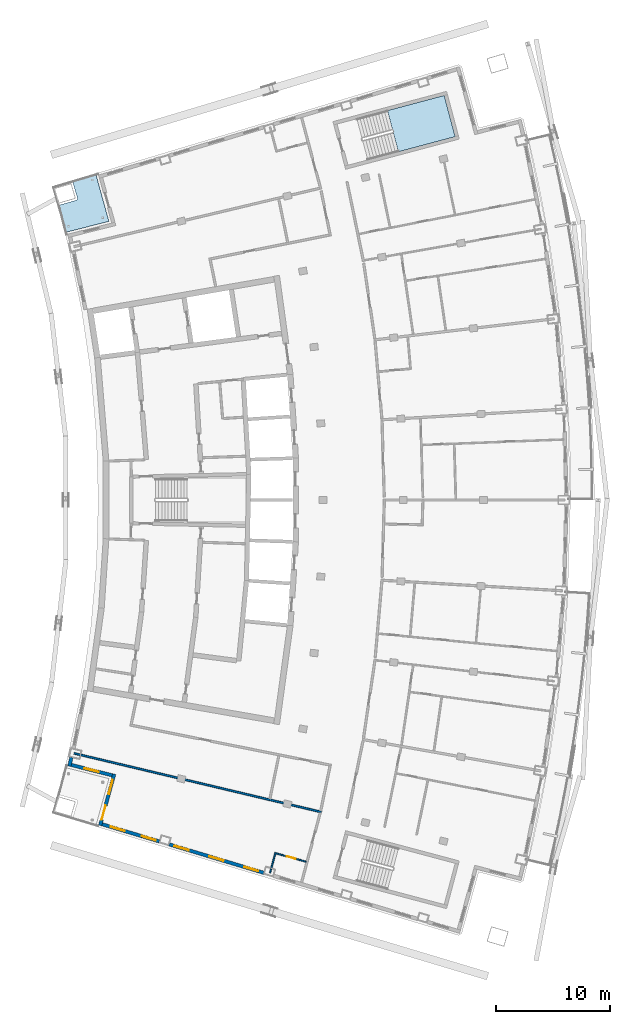
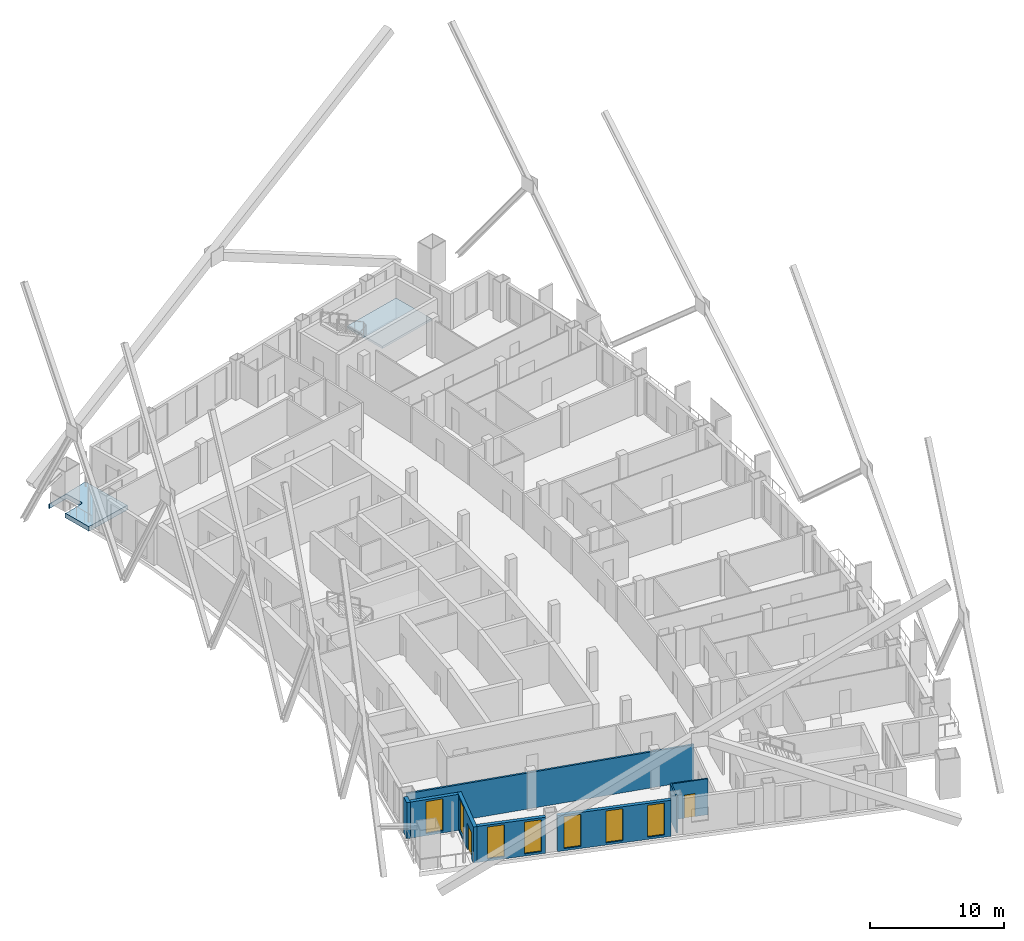
# One storey, part 7 of 16: 8 walls, 7 windows, 2 doors, 2 slabs, 9 openings, 1 element without a shape of its own.
"""IFC4 building model written with IfcOpenShell, lengths in metres."""

from ifc_helpers import new_model, si_unit, direction, frame, frame_2d, origin, place, context, subcontext, project, spatial, polyline, rectangle, outline, extrude, material, layer, layer_set, type_object, element, fill, aggregate, save


model = new_model("IFC4")

# Units and contexts
model_context = context("Model", 3, precision=1e-05, world=origin(), true_north=direction((0.0, 1.0)))
body_context = subcontext(model_context, "Body", "Model", "MODEL_VIEW")
ifc_project = project(units=[si_unit("LENGTHUNIT", "METRE"), si_unit("AREAUNIT", "SQUARE_METRE"), si_unit("VOLUMEUNIT", "CUBIC_METRE"), si_unit("PLANEANGLEUNIT", "RADIAN"), si_unit("MASSUNIT", "GRAM", prefix="KILO")], contexts=[model_context])

# Site, building, storey
site_placement = place(None, origin())
site = spatial("IfcSite", under=ifc_project, at=site_placement, CompositionType="ELEMENT")
building_placement = place(site_placement, origin())
building = spatial("IfcBuilding", under=site, at=building_placement, Name="Alderwake Tower", CompositionType="ELEMENT")
storey_placement = place(building_placement, frame((0.0, 0.0, 245.60009765625)))
storey = spatial("IfcBuildingStorey", under=building, at=storey_placement, Name="L60", CompositionType="ELEMENT", Elevation=245.60009765625)

# Stair, slab
ifc_material_1 = material(Name="Concrete C40/50", Category="concrete")
stair_type = type_object("IfcStairType", Name="Core exit stair", PredefinedType="HALF_TURN_STAIR", material=ifc_material_1)
stair_placement = place(storey_placement, origin())
stair = element("IfcStair", 1, at=stair_placement, inside=storey, type_object=stair_type, Name="L60 Exit Stair A", PredefinedType="HALF_TURN_STAIR")
ifc_material_2 = material(Name="Concrete C40/50", Category="concrete")
ifc_layer_1 = layer(ifc_material_2, 0.199951171875)
ifc_layer_set_1 = layer_set([ifc_layer_1], Name="Core stair landing 200")
slab_type_1 = type_object("IfcSlabType", Name="Core stair landing 200", PredefinedType="LANDING", material=ifc_layer_set_1)
slab_1_placement = place(storey_placement, frame((0.0, 0.0, 1.599853515625)))
slab_1 = element("IfcSlab", 2, at=slab_1_placement, type_object=slab_type_1, Name="ST-A landing 1", PredefinedType="LANDING", context=body_context, shape_type="SweptSolid", body=[
    extrude(outline(polyline([(42.440673828125, 91.67236328125), (47.436279296875, 93.003173828125), (46.47119140625, 96.626708984375), (41.475341796875, 95.296142578125), (42.440673828125, 91.67236328125)])), origin(), (0.0, 0.0, 1.0), 0.199951171875),
])
aggregate(stair, [slab_1])

# Slab
ifc_material_3 = material(Name="Concrete C50/60", Category="concrete")
ifc_layer_2 = layer(ifc_material_3, 0.419921875)
ifc_layer_set_2 = layer_set([ifc_layer_2], Name="Terrace slab 420")
slab_type_2 = type_object("IfcSlabType", Name="Terrace slab 420", PredefinedType="FLOOR", material=ifc_layer_set_2)
slab_2_placement = place(storey_placement, frame((0.0, 0.0, -0.420166015625)))
element("IfcSlab", 3, at=slab_2_placement, inside=storey, type_object=slab_type_2, Name="Corner terrace RN", PredefinedType="FLOOR", context=body_context, shape_type="SweptSolid", body=[
    extrude(outline(polyline([(12.418701171875, 86.970458984375), (12.4306640625, 86.964599609375), (12.444580078125, 86.95947265625), (12.458740234375, 86.955810546875), (12.473388671875, 86.953369140625), (12.488037109375, 86.952392578125), (12.502685546875, 86.952880859375), (12.517333984375, 86.955078125), (12.531494140625, 86.95849609375), (14.068115234375, 87.404052734375), (14.082275390625, 87.408935546875), (14.095458984375, 87.4150390625), (14.1083984375, 87.422607421875), (14.1201171875, 87.43115234375), (14.131103515625, 87.44091796875), (14.14111328125, 87.45166015625), (14.150146484375, 87.46337890625), (14.157958984375, 87.475830078125), (14.164306640625, 87.489013671875), (14.16943359375, 87.5029296875), (14.173095703125, 87.51708984375), (14.175537109375, 87.53173828125), (14.176513671875, 87.54638671875), (14.17578125, 87.56103515625), (14.173828125, 87.57568359375), (14.17041015625, 87.590087890625), (13.780517578125, 88.9345703125), (13.775634765625, 88.948486328125), (13.76953125, 88.9619140625), (13.76220703125, 88.974609375), (13.75341796875, 88.986572265625), (13.74365234375, 88.99755859375), (13.73291015625, 89.007568359375), (13.72119140625, 89.0166015625), (13.708740234375, 89.024169921875), (13.695556640625, 89.030517578125), (13.681640625, 89.035888671875), (13.66748046875, 89.03955078125), (13.65283203125, 89.0419921875), (13.63818359375, 89.042724609375), (13.62353515625, 89.042236328125), (13.60888671875, 89.040283203125), (13.594482421875, 89.036865234375), (12.05810546875, 88.591064453125), (12.0439453125, 88.586181640625), (12.03076171875, 88.580078125), (12.017822265625, 88.57275390625), (12.006103515625, 88.564208984375), (11.9951171875, 88.55419921875), (11.985107421875, 88.543701171875), (11.97607421875, 88.53173828125), (11.9697265625, 88.521728515625), (11.945556640625, 88.604736328125), (15.776611328125, 89.7548828125), (16.942626953125, 85.53857421875), (13.06494140625, 84.556884765625), (12.71142578125, 85.91162109375), (12.418701171875, 86.970458984375)])), origin(), (0.0, 0.0, 1.0), 0.420166015625),
])

# Walls
ifc_material_4 = material(Name="Gypsum board on metal studs, rated")
ifc_layer_3 = layer(ifc_material_4, 0.159912109375)
ifc_layer_set_3 = layer_set([ifc_layer_3], Name="Corridor wall 160")
wall_type_1 = type_object("IfcWallType", Name="Corridor wall 160", PredefinedType="PARTITIONING", material=ifc_layer_set_3)
wall_1_placement = place(storey_placement, frame((13.884033203125, 38.68798828125, 0.0), z_axis=(0.0, 0.0, 1.0), x_axis=(0.972893462073, -0.231253781493, 0.0)))
element("IfcWall", 4, at=wall_1_placement, inside=storey, type_object=wall_type_1, Name="WL/L60/W08", PredefinedType="PARTITIONING", context=body_context, shape_type="SweptSolid", body=[
    extrude(rectangle(XDim=22.38037109375, YDim=0.159912109375, at=frame_2d((11.190185546875, 0.0))), origin(), (0.0, 0.0, 1.0), 3.27978515625),
])
ifc_material_5 = material(Name="Precast concrete C50/60 spandrel panel", Category="concrete")
ifc_layer_4 = layer(ifc_material_5, 0.300048828125)
ifc_layer_set_4 = layer_set([ifc_layer_4], Name="External wall EW1 Precast concrete C50/60 spandrel")
wall_type_2 = type_object("IfcWallType", Name="External wall EW1 Precast concrete C50/60 spandrel", PredefinedType="SOLIDWALL", material=ifc_layer_set_4)
wall_2_placement = place(storey_placement, frame((13.643310546875, 38.33154296875, 0.0), z_axis=(0.0, 0.0, 1.0), x_axis=(-0.238313493867, -0.971188281767, 0.0)))
element("IfcWall", 5, at=wall_2_placement, inside=storey, type_object=wall_type_2, Name="External wall 1", PredefinedType="SOLIDWALL", context=body_context, shape_type="SweptSolid", body=[
    extrude(rectangle(XDim=0.80322265625, YDim=0.300048828125, at=frame_2d((0.401611328125, 0.0))), origin(), (0.0, 0.0, 1.0), 3.27978515625),
])

# Wall, opening, window
ifc_material_6 = material(Name="Bronze metal cladding on lightweight framing")
ifc_layer_5 = layer(ifc_material_6, 0.300048828125)
ifc_layer_set_5 = layer_set([ifc_layer_5], Name="External wall EW2 bronze metal cladding")
wall_type_3 = type_object("IfcWallType", Name="External wall EW2 bronze metal cladding", PredefinedType="SOLIDWALL", material=ifc_layer_set_5)
wall_3_placement = place(storey_placement, frame((13.633056640625, 37.660400390625, 0.0), z_axis=(0.0, 0.0, 1.0), x_axis=(0.969417366605, -0.245417948254, 0.0)))
wall_3 = element("IfcWall", 6, at=wall_3_placement, inside=storey, type_object=wall_type_3, Name="External wall 2", PredefinedType="SOLIDWALL", context=body_context, shape_type="SweptSolid", body=[
    extrude(rectangle(XDim=3.70556640625, YDim=0.300048828125, at=frame_2d((1.852783203125, 0.0))), origin(), (0.0, 0.0, 1.0), 3.27978515625),
])
opening_1_placement = place(wall_3_placement, frame((1.202880859375, 0.0, 0.199951171875)))
opening_1 = element("IfcOpeningElement", 7, at=opening_1_placement, cuts=wall_3, Name="Opening W1", PredefinedType="OPENING", context=body_context, shape_type="SweptSolid", body=[
    extrude(rectangle(XDim=1.300048828125, YDim=2.89990234375, at=frame_2d((0.64990234375, 1.449951171875))), frame((0.0, 0.159912109375, 0.0), z_axis=(0.0, -1.0, 0.0), x_axis=(1.0, 0.0, 0.0)), (0.0, 0.0, 1.0), 0.320068359375),
])
ifc_material_7 = material(Name="Bronze tinted glass in aluminium frame", Category="aluminium")
window_type = type_object("IfcWindowType", Name="Window W1 tall fixed and vent", PartitioningType="DOUBLE_PANEL_VERTICAL", PredefinedType="WINDOW", material=ifc_material_7)
window_1_placement = place(opening_1_placement, origin())
window_1 = element("IfcWindow", 8, at=window_1_placement, inside=storey, type_object=window_type, Name="Window W1 tall fixed and vent", OverallHeight=2.89990234375, OverallWidth=1.300048828125, PartitioningType="DOUBLE_PANEL_VERTICAL", PredefinedType="WINDOW", context=body_context, shape_type="SweptSolid", body=[
    extrude(rectangle(XDim=1.300048828125, YDim=2.89990234375, at=frame_2d((0.64990234375, 1.449951171875))), frame((0.0, 0.030029296875, 0.0), z_axis=(0.0, -1.0, 0.0), x_axis=(1.0, 0.0, 0.0)), (0.0, 0.0, 1.0), 0.06005859375),
])
fill(opening_1, window_1)

# Wall, openings, door, window
wall_4_placement = place(storey_placement, frame((17.410400390625, 36.85888671875, 0.0), z_axis=(0.0, 0.0, 1.0), x_axis=(-0.264592640785, -0.96436027212, 0.0)))
wall_4 = element("IfcWall", 9, at=wall_4_placement, inside=storey, type_object=wall_type_3, Name="External wall 3", PredefinedType="SOLIDWALL", context=body_context, shape_type="SweptSolid", body=[
    extrude(rectangle(XDim=4.690185546875, YDim=0.300048828125, at=frame_2d((2.34521484375, 0.0))), origin(), (0.0, 0.0, 1.0), 3.27978515625),
])
opening_2_placement = place(wall_4_placement, frame((0.5224609375, 0.0, 0.199951171875)))
opening_2 = element("IfcOpeningElement", 10, at=opening_2_placement, cuts=wall_4, Name="Opening W1", PredefinedType="OPENING", context=body_context, shape_type="SweptSolid", body=[
    extrude(rectangle(XDim=1.300048828125, YDim=2.89990234375, at=frame_2d((0.64990234375, 1.449951171875))), frame((0.0, 0.159912109375, 0.0), z_axis=(0.0, -1.0, 0.0), x_axis=(1.0, 0.0, 0.0)), (0.0, 0.0, 1.0), 0.320068359375),
])
opening_3_placement = place(wall_4_placement, frame((2.867431640625, 0.0, 0.0)))
opening_3 = element("IfcOpeningElement", 11, at=opening_3_placement, cuts=wall_4, Name="Opening D01", PredefinedType="OPENING", context=body_context, shape_type="SweptSolid", body=[
    extrude(rectangle(XDim=1.300048828125, YDim=2.39990234375, at=frame_2d((0.64990234375, 1.199951171875))), frame((0.0, 0.159912109375, 0.0), z_axis=(0.0, -1.0, 0.0), x_axis=(1.0, 0.0, 0.0)), (0.0, 0.0, 1.0), 0.320068359375),
])
ifc_material_8 = material(Name="Bronze tinted glass in aluminium frame", Category="aluminium")
door_type_1 = type_object("IfcDoorType", Name="Balcony door BD sliding", OperationType="SLIDING_TO_LEFT", PredefinedType="DOOR", material=ifc_material_8)
door_1_placement = place(opening_3_placement, origin())
door_1 = element("IfcDoor", 12, at=door_1_placement, inside=storey, type_object=door_type_1, Name="Door D01", OperationType="SLIDING_TO_LEFT", OverallHeight=2.39990234375, OverallWidth=1.300048828125, PredefinedType="DOOR", context=body_context, shape_type="SweptSolid", body=[
    extrude(rectangle(XDim=1.300048828125, YDim=2.39990234375, at=frame_2d((0.64990234375, 1.199951171875))), frame((0.0, 0.02490234375, 0.0), z_axis=(0.0, -1.0, 0.0), x_axis=(1.0, 0.0, 0.0)), (0.0, 0.0, 1.0), 0.050048828125),
])
fill(opening_3, door_1)
window_2_placement = place(opening_2_placement, origin())
window_2 = element("IfcWindow", 13, at=window_2_placement, inside=storey, type_object=window_type, Name="Window W1 tall fixed and vent", OverallHeight=2.89990234375, OverallWidth=1.300048828125, PartitioningType="DOUBLE_PANEL_VERTICAL", PredefinedType="WINDOW", context=body_context, shape_type="SweptSolid", body=[
    extrude(rectangle(XDim=1.300048828125, YDim=2.89990234375, at=frame_2d((0.64990234375, 1.449951171875))), frame((0.0, 0.030029296875, 0.0), z_axis=(0.0, -1.0, 0.0), x_axis=(1.0, 0.0, 0.0)), (0.0, 0.0, 1.0), 0.06005859375),
])
fill(opening_2, window_2)

# Wall, openings, windows
wall_5_placement = place(storey_placement, frame((16.352783203125, 32.4375, 0.0), z_axis=(0.0, 0.0, 1.0), x_axis=(0.957768668152, -0.287539872551, 0.0)))
wall_5 = element("IfcWall", 14, at=wall_5_placement, inside=storey, type_object=wall_type_3, Name="External wall 4", PredefinedType="SOLIDWALL", context=body_context, shape_type="SweptSolid", body=[
    extrude(rectangle(XDim=5.249755859375, YDim=0.300048828125, at=frame_2d((2.625, 0.0))), origin(), (0.0, 0.0, 1.0), 3.27978515625),
])
opening_4_placement = place(wall_5_placement, frame((0.775390625, 0.0, 0.199951171875)))
opening_4 = element("IfcOpeningElement", 15, at=opening_4_placement, cuts=wall_5, Name="Opening W1", PredefinedType="OPENING", context=body_context, shape_type="SweptSolid", body=[
    extrude(rectangle(XDim=1.300048828125, YDim=2.89990234375, at=frame_2d((0.64990234375, 1.449951171875))), frame((0.0, 0.159912109375, 0.0), z_axis=(0.0, -1.0, 0.0), x_axis=(1.0, 0.0, 0.0)), (0.0, 0.0, 1.0), 0.320068359375),
])
opening_5_placement = place(wall_5_placement, frame((3.626220703125, 0.0, 0.199951171875)))
opening_5 = element("IfcOpeningElement", 16, at=opening_5_placement, cuts=wall_5, Name="Opening W1", PredefinedType="OPENING", context=body_context, shape_type="SweptSolid", body=[
    extrude(rectangle(XDim=1.300048828125, YDim=2.89990234375, at=frame_2d((0.64990234375, 1.449951171875))), frame((0.0, 0.159912109375, 0.0), z_axis=(0.0, -1.0, 0.0), x_axis=(1.0, 0.0, 0.0)), (0.0, 0.0, 1.0), 0.320068359375),
])
window_3_placement = place(opening_4_placement, origin())
window_3 = element("IfcWindow", 17, at=window_3_placement, inside=storey, type_object=window_type, Name="Window W1 tall fixed and vent", OverallHeight=2.89990234375, OverallWidth=1.300048828125, PartitioningType="DOUBLE_PANEL_VERTICAL", PredefinedType="WINDOW", context=body_context, shape_type="SweptSolid", body=[
    extrude(rectangle(XDim=1.300048828125, YDim=2.89990234375, at=frame_2d((0.64990234375, 1.449951171875))), frame((0.0, 0.030029296875, 0.0), z_axis=(0.0, -1.0, 0.0), x_axis=(1.0, 0.0, 0.0)), (0.0, 0.0, 1.0), 0.06005859375),
])
fill(opening_4, window_3)
window_4_placement = place(opening_5_placement, origin())
window_4 = element("IfcWindow", 18, at=window_4_placement, inside=storey, type_object=window_type, Name="Window W1 tall fixed and vent", OverallHeight=2.89990234375, OverallWidth=1.300048828125, PartitioningType="DOUBLE_PANEL_VERTICAL", PredefinedType="WINDOW", context=body_context, shape_type="SweptSolid", body=[
    extrude(rectangle(XDim=1.300048828125, YDim=2.89990234375, at=frame_2d((0.64990234375, 1.449951171875))), frame((0.0, 0.030029296875, 0.0), z_axis=(0.0, -1.0, 0.0), x_axis=(1.0, 0.0, 0.0)), (0.0, 0.0, 1.0), 0.06005859375),
])
fill(opening_5, window_4)

wall_6_placement = place(storey_placement, frame((22.24658203125, 30.668212890625, 0.0), z_axis=(0.0, 0.0, 1.0), x_axis=(0.957762902908, -0.287559075345, 0.0)))
wall_6 = element("IfcWall", 19, at=wall_6_placement, inside=storey, type_object=wall_type_3, Name="External wall 5", PredefinedType="SOLIDWALL", context=body_context, shape_type="SweptSolid", body=[
    extrude(rectangle(XDim=8.696533203125, YDim=0.300048828125, at=frame_2d((4.34814453125, 0.0))), origin(), (0.0, 0.0, 1.0), 3.27978515625),
])
opening_6_placement = place(wall_6_placement, frame((0.498046875, 0.0, 0.199951171875)))
opening_6 = element("IfcOpeningElement", 20, at=opening_6_placement, cuts=wall_6, Name="Opening W1", PredefinedType="OPENING", context=body_context, shape_type="SweptSolid", body=[
    extrude(rectangle(XDim=1.300048828125, YDim=2.89990234375, at=frame_2d((0.64990234375, 1.449951171875))), frame((0.0, 0.159912109375, 0.0), z_axis=(0.0, -1.0, 0.0), x_axis=(1.0, 0.0, 0.0)), (0.0, 0.0, 1.0), 0.320068359375),
])
opening_7_placement = place(wall_6_placement, frame((3.697998046875, 0.0, 0.199951171875)))
opening_7 = element("IfcOpeningElement", 21, at=opening_7_placement, cuts=wall_6, Name="Opening W1", PredefinedType="OPENING", context=body_context, shape_type="SweptSolid", body=[
    extrude(rectangle(XDim=1.300048828125, YDim=2.89990234375, at=frame_2d((0.64990234375, 1.449951171875))), frame((0.0, 0.159912109375, 0.0), z_axis=(0.0, -1.0, 0.0), x_axis=(1.0, 0.0, 0.0)), (0.0, 0.0, 1.0), 0.320068359375),
])
opening_8_placement = place(wall_6_placement, frame((6.898193359375, 0.0, 0.199951171875)))
opening_8 = element("IfcOpeningElement", 22, at=opening_8_placement, cuts=wall_6, Name="Opening W1", PredefinedType="OPENING", context=body_context, shape_type="SweptSolid", body=[
    extrude(rectangle(XDim=1.300048828125, YDim=2.89990234375, at=frame_2d((0.64990234375, 1.449951171875))), frame((0.0, 0.159912109375, 0.0), z_axis=(0.0, -1.0, 0.0), x_axis=(1.0, 0.0, 0.0)), (0.0, 0.0, 1.0), 0.320068359375),
])
window_5_placement = place(opening_6_placement, origin())
window_5 = element("IfcWindow", 23, at=window_5_placement, inside=storey, type_object=window_type, Name="Window W1 tall fixed and vent", OverallHeight=2.89990234375, OverallWidth=1.300048828125, PartitioningType="DOUBLE_PANEL_VERTICAL", PredefinedType="WINDOW", context=body_context, shape_type="SweptSolid", body=[
    extrude(rectangle(XDim=1.300048828125, YDim=2.89990234375, at=frame_2d((0.64990234375, 1.449951171875))), frame((0.0, 0.030029296875, 0.0), z_axis=(0.0, -1.0, 0.0), x_axis=(1.0, 0.0, 0.0)), (0.0, 0.0, 1.0), 0.06005859375),
])
fill(opening_6, window_5)
window_6_placement = place(opening_7_placement, origin())
window_6 = element("IfcWindow", 24, at=window_6_placement, inside=storey, type_object=window_type, Name="Window W1 tall fixed and vent", OverallHeight=2.89990234375, OverallWidth=1.300048828125, PartitioningType="DOUBLE_PANEL_VERTICAL", PredefinedType="WINDOW", context=body_context, shape_type="SweptSolid", body=[
    extrude(rectangle(XDim=1.300048828125, YDim=2.89990234375, at=frame_2d((0.64990234375, 1.449951171875))), frame((0.0, 0.030029296875, 0.0), z_axis=(0.0, -1.0, 0.0), x_axis=(1.0, 0.0, 0.0)), (0.0, 0.0, 1.0), 0.06005859375),
])
fill(opening_7, window_6)
window_7_placement = place(opening_8_placement, origin())
window_7 = element("IfcWindow", 25, at=window_7_placement, inside=storey, type_object=window_type, Name="Window W1 tall fixed and vent", OverallHeight=2.89990234375, OverallWidth=1.300048828125, PartitioningType="DOUBLE_PANEL_VERTICAL", PredefinedType="WINDOW", context=body_context, shape_type="SweptSolid", body=[
    extrude(rectangle(XDim=1.300048828125, YDim=2.89990234375, at=frame_2d((0.64990234375, 1.449951171875))), frame((0.0, 0.030029296875, 0.0), z_axis=(0.0, -1.0, 0.0), x_axis=(1.0, 0.0, 0.0)), (0.0, 0.0, 1.0), 0.06005859375),
])
fill(opening_8, window_7)

# Wall
ifc_material_9 = material(Name="Moisture resistant gypsum board on metal studs")
ifc_layer_6 = layer(ifc_material_9, 0.1201171875)
ifc_layer_set_6 = layer_set([ifc_layer_6], Name="Wet room partition 120")
wall_type_4 = type_object("IfcWallType", Name="Wet room partition 120", PredefinedType="PARTITIONING", material=ifc_layer_set_6)
wall_7_placement = place(storey_placement, frame((31.61767578125, 29.949951171875, 0.0), z_axis=(0.0, 0.0, 1.0), x_axis=(-0.260171283127, -0.965562480338, 0.0)))
element("IfcWall", 26, at=wall_7_placement, inside=storey, type_object=wall_type_4, Name="WL/L60/W29", PredefinedType="PARTITIONING", context=body_context, shape_type="SweptSolid", body=[
    extrude(rectangle(XDim=1.85888671875, YDim=0.1201171875, at=frame_2d((0.929443359375, 0.0))), origin(), (0.0, 0.0, 1.0), 3.27978515625),
])

# Wall, opening, door
wall_8_placement = place(storey_placement, frame((34.31787109375, 29.136474609375, 0.0), z_axis=(0.0, 0.0, 1.0), x_axis=(-0.963407530319, 0.268040912036, 0.0)))
wall_8 = element("IfcWall", 27, at=wall_8_placement, inside=storey, type_object=wall_type_4, Name="WL/L60/W31", PredefinedType="PARTITIONING", context=body_context, shape_type="SweptSolid", body=[
    extrude(rectangle(XDim=2.759033203125, YDim=0.1201171875, at=frame_2d((1.37939453125, 0.0))), origin(), (0.0, 0.0, 1.0), 3.27978515625),
])
opening_9_placement = place(wall_8_placement, frame((0.9794921875, 0.0, 0.0)))
opening_9 = element("IfcOpeningElement", 28, at=opening_9_placement, cuts=wall_8, Name="Opening R17-U08.2", PredefinedType="OPENING", context=body_context, shape_type="SweptSolid", body=[
    extrude(rectangle(XDim=0.800048828125, YDim=2.10009765625, at=frame_2d((0.39990234375, 1.050048828125))), frame((0.0, 0.070068359375, 0.0), z_axis=(0.0, -1.0, 0.0), x_axis=(1.0, 0.0, 0.0)), (0.0, 0.0, 1.0), 0.14013671875),
])
ifc_material_10 = material(Name="Painted timber leaf", Category="wood")
door_type_2 = type_object("IfcDoorType", Name="Bathroom door 800", OperationType="SINGLE_SWING_LEFT", PredefinedType="DOOR", material=ifc_material_10)
door_2_placement = place(opening_9_placement, origin())
door_2 = element("IfcDoor", 29, at=door_2_placement, inside=storey, type_object=door_type_2, Name="DR/L60/U08.2", OperationType="SINGLE_SWING_LEFT", OverallHeight=2.10009765625, OverallWidth=0.800048828125, PredefinedType="DOOR", context=body_context, shape_type="SweptSolid", body=[
    extrude(rectangle(XDim=0.800048828125, YDim=2.10009765625, at=frame_2d((0.39990234375, 1.050048828125))), frame((0.0, 0.02490234375, 0.0), z_axis=(0.0, -1.0, 0.0), x_axis=(1.0, 0.0, 0.0)), (0.0, 0.0, 1.0), 0.050048828125),
])
fill(opening_9, door_2)

save(model, "model.ifc")
